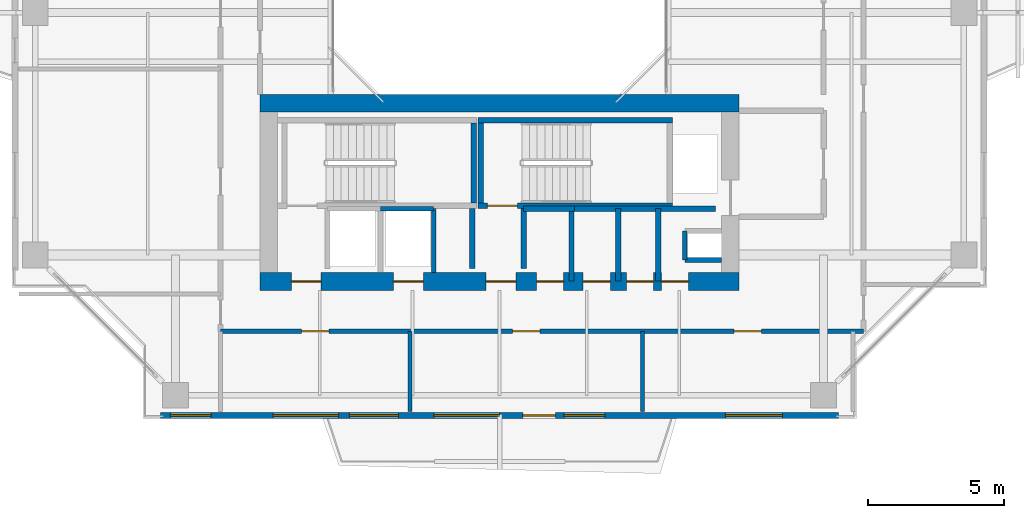
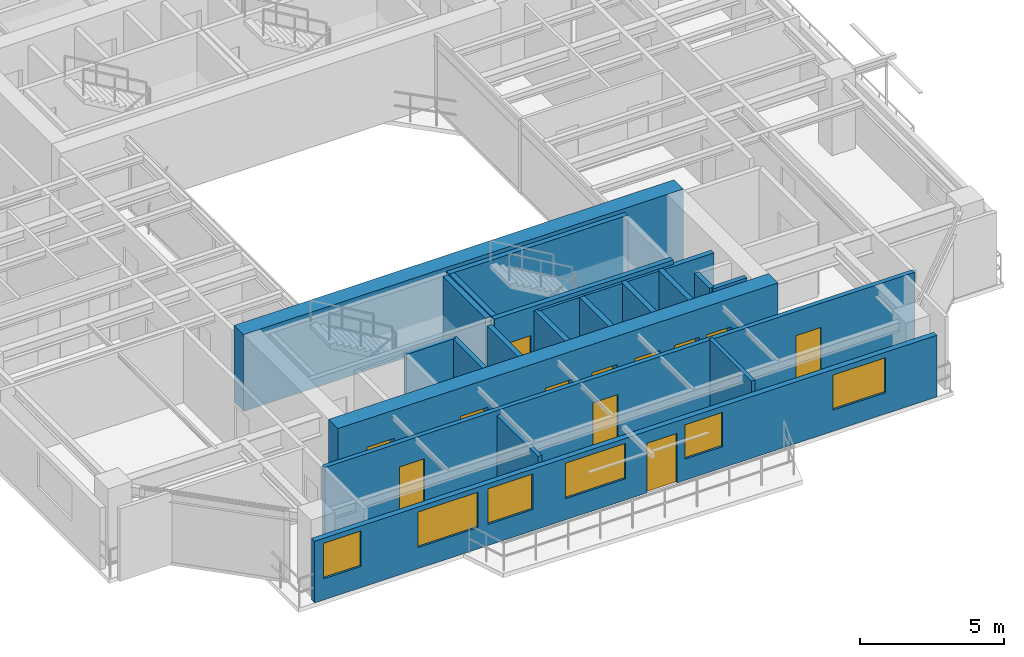
# One storey, part 10 of 17: 21 walls, 12 doors, 6 windows, 18 openings.
"""IFC4 building model written with IfcOpenShell, lengths in metres."""

from ifc_helpers import new_model, si_unit, direction, frame, frame_2d, origin, place, context, subcontext, project, spatial, rectangle, extrude, source, transform, mapped, material, layer, layer_set, type_object, element, fill, save


model = new_model("IFC4")

# Units and contexts
model_context = context("Model", 3, precision=1e-05, world=origin(), true_north=direction((0.0, 1.0)))
body_context = subcontext(model_context, "Body", "Model", "MODEL_VIEW")
ifc_project = project(units=[si_unit("LENGTHUNIT", "METRE"), si_unit("AREAUNIT", "SQUARE_METRE"), si_unit("VOLUMEUNIT", "CUBIC_METRE"), si_unit("PLANEANGLEUNIT", "RADIAN"), si_unit("MASSUNIT", "GRAM", prefix="KILO"), si_unit("THERMODYNAMICTEMPERATUREUNIT", "KELVIN"), si_unit("POWERUNIT", "WATT")], contexts=[model_context])

# Site, building, storey
site_placement = place(None, origin())
site = spatial("IfcSite", under=ifc_project, at=site_placement, CompositionType="ELEMENT")
building_placement = place(site_placement, origin())
building = spatial("IfcBuilding", under=site, at=building_placement, Name="Qiaomeng Ring Towers", CompositionType="ELEMENT")
storey_placement = place(building_placement, frame((0.0, 0.0, 143.75)))
storey = spatial("IfcBuildingStorey", under=building, at=storey_placement, Name="L41", CompositionType="ELEMENT", Elevation=143.75)

# Wall, openings, windows, door
ifc_material_1 = material(Name="Precast concrete C40", Category="concrete")
ifc_layer_1 = layer(ifc_material_1, 0.219970703125, Name="Precast concrete C40")
ifc_layer_set_1 = layer_set([ifc_layer_1], Name="Precast concrete C40")
wall_type_1 = type_object("IfcWallType", Name="ARC-WL-EW2", PredefinedType="STANDARD", material=ifc_layer_set_1)
wall_1_placement = place(storey_placement, frame((6.550048828125, 5.2099609375, 0.0), z_axis=(0.0, 0.0, 1.0), x_axis=(1.0, 0.0, 0.0)))
wall_1 = element("IfcWall", 1, at=wall_1_placement, inside=storey, type_object=wall_type_1, Name="L41 Tower 1 S Exterior Wall", PredefinedType="STANDARD", context=body_context, shape_type="SweptSolid", body=[
    extrude(rectangle(XDim=24.89990234375, YDim=0.219970703125, at=frame_2d((12.449951171875, 0.0))), origin(), (0.0, 0.0, 1.0), 2.610107421875),
])
opening_1_placement = place(wall_1_placement, frame((13.300048828125, 0.0, 0.0)))
opening_1 = element("IfcOpeningElement", 2, at=opening_1_placement, cuts=wall_1, Name="Opening BD1", PredefinedType="OPENING", context=body_context, shape_type="SweptSolid", body=[
    extrude(rectangle(XDim=1.199951171875, YDim=2.10009765625, at=frame_2d((0.60009765625, 1.050048828125))), frame((0.0, 0.119873046875, 0.0), z_axis=(0.0, -1.0, 0.0), x_axis=(1.0, 0.0, 0.0)), (0.0, 0.0, 1.0), 0.239990234375),
])
opening_2_placement = place(wall_1_placement, frame((0.357421875, 0.0, 0.89990234375)))
opening_2 = element("IfcOpeningElement", 3, at=opening_2_placement, cuts=wall_1, Name="Opening WN2", PredefinedType="OPENING", context=body_context, shape_type="SweptSolid", body=[
    extrude(rectangle(XDim=1.5, YDim=1.5, at=frame_2d((0.75, 0.75))), frame((0.0, 0.119873046875, 0.0), z_axis=(0.0, -1.0, 0.0), x_axis=(1.0, 0.0, 0.0)), (0.0, 0.0, 1.0), 0.239990234375),
])
opening_3_placement = place(wall_1_placement, frame((6.9306640625, 0.0, 0.89990234375)))
opening_3 = element("IfcOpeningElement", 4, at=opening_3_placement, cuts=wall_1, Name="Opening WN1", PredefinedType="OPENING", context=body_context, shape_type="SweptSolid", body=[
    extrude(rectangle(XDim=1.800048828125, YDim=1.5, at=frame_2d((0.89990234375, 0.75))), frame((0.0, 0.119873046875, 0.0), z_axis=(0.0, -1.0, 0.0), x_axis=(1.0, 0.0, 0.0)), (0.0, 0.0, 1.0), 0.239990234375),
])
opening_4_placement = place(wall_1_placement, frame((14.81298828125, 0.0, 0.89990234375)))
opening_4 = element("IfcOpeningElement", 5, at=opening_4_placement, cuts=wall_1, Name="Opening WN2", PredefinedType="OPENING", context=body_context, shape_type="SweptSolid", body=[
    extrude(rectangle(XDim=1.5, YDim=1.449951171875, at=frame_2d((0.75, 0.72509765625))), frame((0.0, 0.119873046875, 0.0), z_axis=(0.0, -1.0, 0.0), x_axis=(1.0, 0.0, 0.0)), (0.0, 0.0, 1.0), 0.239990234375),
])
opening_5_placement = place(wall_1_placement, frame((20.738037109375, 0.0, 0.89990234375)))
opening_5 = element("IfcOpeningElement", 6, at=opening_5_placement, cuts=wall_1, Name="Opening WN4", PredefinedType="OPENING", context=body_context, shape_type="SweptSolid", body=[
    extrude(rectangle(XDim=2.10009765625, YDim=1.47998046875, at=frame_2d((1.050048828125, 0.739990234375))), frame((0.0, 0.119873046875, 0.0), z_axis=(0.0, -1.0, 0.0), x_axis=(1.0, 0.0, 0.0)), (0.0, 0.0, 1.0), 0.239990234375),
])
opening_6_placement = place(wall_1_placement, frame((4.136474609375, 0.0, 0.89990234375)))
opening_6 = element("IfcOpeningElement", 7, at=opening_6_placement, cuts=wall_1, Name="Opening WN6", PredefinedType="OPENING", context=body_context, shape_type="SweptSolid", body=[
    extrude(rectangle(XDim=2.39990234375, YDim=1.5, at=frame_2d((1.199951171875, 0.75))), frame((0.0, 0.119873046875, 0.0), z_axis=(0.0, -1.0, 0.0), x_axis=(1.0, 0.0, 0.0)), (0.0, 0.0, 1.0), 0.239990234375),
])
opening_7_placement = place(wall_1_placement, frame((10.03759765625, 0.0, 0.89990234375)))
opening_7 = element("IfcOpeningElement", 8, at=opening_7_placement, cuts=wall_1, Name="Opening WN6", PredefinedType="OPENING", context=body_context, shape_type="SweptSolid", body=[
    extrude(rectangle(XDim=2.39990234375, YDim=1.5, at=frame_2d((1.199951171875, 0.75))), frame((0.0, 0.119873046875, 0.0), z_axis=(0.0, -1.0, 0.0), x_axis=(1.0, 0.0, 0.0)), (0.0, 0.0, 1.0), 0.239990234375),
])
ifc_material_2 = material(Name="Low-E dark-grey laminated double glazing", Category="glass")
window_type_1 = type_object("IfcWindowType", Name="ARC-WN-2", PartitioningType="DOUBLE_PANEL_VERTICAL", PredefinedType="WINDOW", material=ifc_material_2)
shared_shape_1 = source(origin(), body_context, "Body", "SweptSolid", [
    extrude(rectangle(XDim=1.5, YDim=1.449951171875, at=frame_2d((0.75, 0.72509765625))), frame((0.0, 0.030029296875, 0.0), z_axis=(0.0, -1.0, 0.0), x_axis=(1.0, 0.0, 0.0)), (0.0, 0.0, 1.0), 0.06005859375),
])
window_1_placement = place(opening_4_placement, origin())
window_1 = element("IfcWindow", 9, at=window_1_placement, inside=storey, type_object=window_type_1, Name="L41 Exterior Window WN2", OverallHeight=1.449951171875, OverallWidth=1.5, PartitioningType="DOUBLE_PANEL_VERTICAL", PredefinedType="WINDOW", context=body_context, shape_type="MappedRepresentation", body=[
    mapped(shared_shape_1, transform((0.0, 0.0, 0.0), x_axis=(1.0, 0.0, 0.0), y_axis=(0.0, 1.0, 0.0), z_axis=(0.0, 0.0, 1.0), scale=1.0)),
])
fill(opening_4, window_1)
window_type_2 = type_object("IfcWindowType", Name="ARC-WN-4", PartitioningType="TRIPLE_PANEL_VERTICAL", PredefinedType="WINDOW", material=ifc_material_2)
shared_shape_2 = source(origin(), body_context, "Body", "SweptSolid", [
    extrude(rectangle(XDim=2.10009765625, YDim=1.47998046875, at=frame_2d((1.050048828125, 0.739990234375))), frame((0.0, 0.030029296875, 0.0), z_axis=(0.0, -1.0, 0.0), x_axis=(1.0, 0.0, 0.0)), (0.0, 0.0, 1.0), 0.06005859375),
])
window_2_placement = place(opening_5_placement, origin())
window_2 = element("IfcWindow", 10, at=window_2_placement, inside=storey, type_object=window_type_2, Name="L41 Exterior Window WN4", OverallHeight=1.47998046875, OverallWidth=2.10009765625, PartitioningType="TRIPLE_PANEL_VERTICAL", PredefinedType="WINDOW", context=body_context, shape_type="MappedRepresentation", body=[
    mapped(shared_shape_2, transform((0.0, 0.0, 0.0), x_axis=(1.0, 0.0, 0.0), y_axis=(0.0, 1.0, 0.0), z_axis=(0.0, 0.0, 1.0), scale=1.0)),
])
fill(opening_5, window_2)
door_type_1 = type_object("IfcDoorType", Name="ARC-DR-BD1", OperationType="NOTDEFINED", PredefinedType="DOOR", material=ifc_material_2)
shared_shape_3 = source(origin(), body_context, "Body", "SweptSolid", [
    extrude(rectangle(XDim=1.199951171875, YDim=2.10009765625, at=frame_2d((0.60009765625, 1.050048828125))), frame((0.0, 0.02490234375, 0.0), z_axis=(0.0, -1.0, 0.0), x_axis=(1.0, 0.0, 0.0)), (0.0, 0.0, 1.0), 0.050048828125),
])
door_1_placement = place(opening_1_placement, frame((1.199951171875, 0.0, 0.0), z_axis=(0.0, 0.0, 1.0), x_axis=(-1.0, 0.0, 0.0)))
door_1 = element("IfcDoor", 11, at=door_1_placement, inside=storey, type_object=door_type_1, Name="L41 S Balcony Glazed Door", OperationType="SINGLE_SWING_LEFT", OverallHeight=2.10009765625, OverallWidth=1.199951171875, PredefinedType="DOOR", context=body_context, shape_type="MappedRepresentation", body=[
    mapped(shared_shape_3, transform((0.0, 0.0, 0.0), x_axis=(1.0, 0.0, 0.0), y_axis=(0.0, 1.0, 0.0), z_axis=(0.0, 0.0, 1.0), scale=1.0)),
])
fill(opening_1, door_1)
shared_shape_4 = source(origin(), body_context, "Body", "SweptSolid", [
    extrude(rectangle(XDim=1.5, YDim=1.5, at=frame_2d((0.75, 0.75))), frame((0.0, 0.030029296875, 0.0), z_axis=(0.0, -1.0, 0.0), x_axis=(1.0, 0.0, 0.0)), (0.0, 0.0, 1.0), 0.06005859375),
])
window_3_placement = place(opening_2_placement, origin())
window_3 = element("IfcWindow", 12, at=window_3_placement, inside=storey, type_object=window_type_1, Name="L41 Exterior Window WN6", OverallHeight=1.5, OverallWidth=1.5, PartitioningType="TRIPLE_PANEL_VERTICAL", PredefinedType="WINDOW", context=body_context, shape_type="MappedRepresentation", body=[
    mapped(shared_shape_4, transform((0.0, 0.0, 0.0), x_axis=(1.0, 0.0, 0.0), y_axis=(0.0, 1.0, 0.0), z_axis=(0.0, 0.0, 1.0), scale=1.0)),
])
fill(opening_2, window_3)
window_type_3 = type_object("IfcWindowType", Name="ARC-WN-6", PartitioningType="TRIPLE_PANEL_VERTICAL", PredefinedType="WINDOW", material=ifc_material_2)
shared_shape_5 = source(origin(), body_context, "Body", "SweptSolid", [
    extrude(rectangle(XDim=2.39990234375, YDim=1.5, at=frame_2d((1.199951171875, 0.75))), frame((0.0, 0.030029296875, 0.0), z_axis=(0.0, -1.0, 0.0), x_axis=(1.0, 0.0, 0.0)), (0.0, 0.0, 1.0), 0.06005859375),
])
window_4_placement = place(opening_6_placement, origin())
window_4 = element("IfcWindow", 13, at=window_4_placement, inside=storey, type_object=window_type_3, Name="L41 Exterior Window WN6", OverallHeight=1.5, OverallWidth=2.39990234375, PartitioningType="TRIPLE_PANEL_VERTICAL", PredefinedType="WINDOW", context=body_context, shape_type="MappedRepresentation", body=[
    mapped(shared_shape_5, transform((0.0, 0.0, 0.0), x_axis=(1.0, 0.0, 0.0), y_axis=(0.0, 1.0, 0.0), z_axis=(0.0, 0.0, 1.0), scale=1.0)),
])
fill(opening_6, window_4)
window_5_placement = place(opening_7_placement, origin())
window_5 = element("IfcWindow", 14, at=window_5_placement, inside=storey, type_object=window_type_3, Name="L41 Exterior Window WN6", OverallHeight=1.5, OverallWidth=2.39990234375, PartitioningType="TRIPLE_PANEL_VERTICAL", PredefinedType="WINDOW", context=body_context, shape_type="MappedRepresentation", body=[
    mapped(shared_shape_5, transform((0.0, 0.0, 0.0), x_axis=(1.0, 0.0, 0.0), y_axis=(0.0, 1.0, 0.0), z_axis=(0.0, 0.0, 1.0), scale=1.0)),
])
fill(opening_7, window_5)
window_type_4 = type_object("IfcWindowType", Name="ARC-WN-1", PartitioningType="DOUBLE_PANEL_VERTICAL", PredefinedType="WINDOW", material=ifc_material_2)
shared_shape_6 = source(origin(), body_context, "Body", "SweptSolid", [
    extrude(rectangle(XDim=1.800048828125, YDim=1.5, at=frame_2d((0.89990234375, 0.75))), frame((0.0, 0.030029296875, 0.0), z_axis=(0.0, -1.0, 0.0), x_axis=(1.0, 0.0, 0.0)), (0.0, 0.0, 1.0), 0.06005859375),
])
window_6_placement = place(opening_3_placement, origin())
window_6 = element("IfcWindow", 15, at=window_6_placement, inside=storey, type_object=window_type_4, Name="L41 Exterior Window WN1", OverallHeight=1.5, OverallWidth=1.800048828125, PartitioningType="DOUBLE_PANEL_VERTICAL", PredefinedType="WINDOW", context=body_context, shape_type="MappedRepresentation", body=[
    mapped(shared_shape_6, transform((0.0, 0.0, 0.0), x_axis=(1.0, 0.0, 0.0), y_axis=(0.0, 1.0, 0.0), z_axis=(0.0, 0.0, 1.0), scale=1.0)),
])
fill(opening_3, window_6)

# Walls
ifc_material_3 = material(Name="Autoclaved aerated concrete block", Category="concrete")
ifc_layer_2 = layer(ifc_material_3, 0.199951171875, Name="Autoclaved aerated concrete block")
ifc_layer_set_2 = layer_set([ifc_layer_2], Name="Autoclaved aerated concrete block")
wall_type_2 = type_object("IfcWallType", Name="ARC-WL-PW1", PredefinedType="PARTITIONING", material=ifc_layer_set_2)
for number, where, z_axis, x_axis, name in (
    (16, (18.0, 10.60009765625, 0.0), (0.0, 0.0, 1.0), (0.0, 1.0, 0.0), "L41 Interior Wall PW1"),
    (17, (19.8798828125, 10.60009765625, 0.0), (0.0, 0.0, 1.0), (0.0, 1.0, 0.0), "L41 Interior Wall PW1"),
):
    element("IfcWall", number, at=place(storey_placement, frame(where, z_axis=z_axis, x_axis=x_axis)), inside=storey, type_object=wall_type_2, Name=name, PredefinedType="PARTITIONING", context=body_context, shape_type="SweptSolid", body=[
        extrude(rectangle(XDim=2.2099609375, YDim=0.199951171875, at=frame_2d((1.10498046875, 0.0))), origin(), (0.0, 0.0, 1.0), 3.070068359375),
    ])
wall_2_placement = place(storey_placement, frame((24.820068359375, 10.14990234375, 0.0), z_axis=(0.0, 0.0, 1.0), x_axis=(0.0, 1.0, 0.0)))
element("IfcWall", 18, at=wall_2_placement, inside=storey, type_object=wall_type_2, Name="L41 Interior Wall PW1", PredefinedType="PARTITIONING", context=body_context, shape_type="SweptSolid", body=[
    extrude(rectangle(XDim=2.650146484375, YDim=0.199951171875, at=frame_2d((1.3251953125, 0.0))), origin(), (0.0, 0.0, 1.0), 3.070068359375),
])
wall_3_placement = place(storey_placement, frame((19.8798828125, 12.800048828125, 0.0), z_axis=(0.0, 0.0, 1.0), x_axis=(1.0, 0.0, 0.0)))
element("IfcWall", 19, at=wall_3_placement, inside=storey, type_object=wall_type_2, Name="L41 Interior Wall PW1", PredefinedType="PARTITIONING", context=body_context, shape_type="SweptSolid", body=[
    extrude(rectangle(XDim=1.8701171875, YDim=0.199951171875, at=frame_2d((0.93505859375, 0.0))), origin(), (0.0, 0.0, 1.0), 3.070068359375),
])
for number, where, z_axis, x_axis, name in (
    (20, (21.639892578125, 10.14990234375, 0.0), (0.0, 0.0, 1.0), (0.0, 1.0, 0.0), "L41 Interior Wall PW1"),
    (21, (23.35009765625, 10.14990234375, 0.0), (0.0, 0.0, 1.0), (0.0, 1.0, 0.0), "L41 Interior Wall PW1"),
):
    element("IfcWall", number, at=place(storey_placement, frame(where, z_axis=z_axis, x_axis=x_axis)), inside=storey, type_object=wall_type_2, Name=name, PredefinedType="PARTITIONING", context=body_context, shape_type="SweptSolid", body=[
        extrude(rectangle(XDim=2.650146484375, YDim=0.199951171875, at=frame_2d((1.3251953125, 0.0))), origin(), (0.0, 0.0, 1.0), 3.070068359375),
    ])
wall_4_placement = place(storey_placement, frame((21.75, 12.800048828125, 0.0), z_axis=(0.0, 0.0, 1.0), x_axis=(1.0, 0.0, 0.0)))
element("IfcWall", 22, at=wall_4_placement, inside=storey, type_object=wall_type_2, Name="L41 Interior Wall PW1", PredefinedType="PARTITIONING", context=body_context, shape_type="SweptSolid", body=[
    extrude(rectangle(XDim=5.169921875, YDim=0.199951171875, at=frame_2d((2.5849609375, 0.0))), origin(), (0.0, 0.0, 1.0), 3.070068359375),
])

# Wall, openings, doors
ifc_layer_3 = layer(ifc_material_3, 0.179931640625, Name="Autoclaved aerated concrete block")
ifc_layer_set_3 = layer_set([ifc_layer_3], Name="Autoclaved aerated concrete block")
wall_type_3 = type_object("IfcWallType", Name="ARC-WL-PW2", PredefinedType="PARTITIONING", material=ifc_layer_set_3)
wall_5_placement = place(storey_placement, frame((8.75, 8.300048828125, 0.0), z_axis=(0.0, 0.0, 1.0), x_axis=(1.0, 0.0, 0.0)))
wall_5 = element("IfcWall", 23, at=wall_5_placement, inside=storey, type_object=wall_type_3, Name="L41 Interior Wall PW2", PredefinedType="PARTITIONING", context=body_context, shape_type="SweptSolid", body=[
    extrude(rectangle(XDim=23.610107421875, YDim=0.179931640625, at=frame_2d((11.80517578125, 0.0))), origin(), (0.0, 0.0, 1.0), 3.070068359375),
])
opening_8_placement = place(wall_5_placement, frame((2.97998046875, 0.0, 0.0)))
opening_8 = element("IfcOpeningElement", 24, at=opening_8_placement, cuts=wall_5, Name="Opening FD4", PredefinedType="OPENING", context=body_context, shape_type="SweptSolid", body=[
    extrude(rectangle(XDim=1.0, YDim=2.050048828125, at=frame_2d((0.5, 1.02490234375))), frame((0.0, 0.099853515625, 0.0), z_axis=(0.0, -1.0, 0.0), x_axis=(1.0, 0.0, 0.0)), (0.0, 0.0, 1.0), 0.199951171875),
])
opening_9_placement = place(wall_5_placement, frame((10.72509765625, 0.0, 0.0)))
opening_9 = element("IfcOpeningElement", 25, at=opening_9_placement, cuts=wall_5, Name="Opening FD4", PredefinedType="OPENING", context=body_context, shape_type="SweptSolid", body=[
    extrude(rectangle(XDim=1.0, YDim=2.050048828125, at=frame_2d((0.5, 1.02490234375))), frame((0.0, 0.099853515625, 0.0), z_axis=(0.0, -1.0, 0.0), x_axis=(1.0, 0.0, 0.0)), (0.0, 0.0, 1.0), 0.199951171875),
])
opening_10_placement = place(wall_5_placement, frame((18.860107421875, 0.0, 0.0)))
opening_10 = element("IfcOpeningElement", 26, at=opening_10_placement, cuts=wall_5, Name="Opening FD4", PredefinedType="OPENING", context=body_context, shape_type="SweptSolid", body=[
    extrude(rectangle(XDim=1.0, YDim=2.050048828125, at=frame_2d((0.5, 1.02490234375))), frame((0.0, 0.099853515625, 0.0), z_axis=(0.0, -1.0, 0.0), x_axis=(1.0, 0.0, 0.0)), (0.0, 0.0, 1.0), 0.199951171875),
])
ifc_material_4 = material(Name="Engineered fire-rated oak timber", Category="wood")
door_type_2 = type_object("IfcDoorType", Name="ARC-DR-FD4", OperationType="NOTDEFINED", PredefinedType="DOOR", material=ifc_material_4)
shared_shape_7 = source(origin(), body_context, "Body", "SweptSolid", [
    extrude(rectangle(XDim=1.0, YDim=2.050048828125, at=frame_2d((0.5, 1.02490234375))), frame((0.0, 0.02490234375, 0.0), z_axis=(0.0, -1.0, 0.0), x_axis=(1.0, 0.0, 0.0)), (0.0, 0.0, 1.0), 0.050048828125),
])
door_2_placement = place(opening_8_placement, origin())
door_2 = element("IfcDoor", 27, at=door_2_placement, inside=storey, type_object=door_type_2, Name="L41 Door FD4", OperationType="SINGLE_SWING_LEFT", OverallHeight=2.050048828125, OverallWidth=1.0, PredefinedType="DOOR", context=body_context, shape_type="MappedRepresentation", body=[
    mapped(shared_shape_7, transform((0.0, 0.0, 0.0), x_axis=(1.0, 0.0, 0.0), y_axis=(0.0, 1.0, 0.0), z_axis=(0.0, 0.0, 1.0), scale=1.0)),
])
fill(opening_8, door_2)
door_3_placement = place(opening_9_placement, origin())
door_3 = element("IfcDoor", 28, at=door_3_placement, inside=storey, type_object=door_type_2, Name="L41 Door FD4", OperationType="SINGLE_SWING_RIGHT", OverallHeight=2.050048828125, OverallWidth=1.0, PredefinedType="DOOR", context=body_context, shape_type="MappedRepresentation", body=[
    mapped(shared_shape_7, transform((0.0, 0.0, 0.0), x_axis=(1.0, 0.0, 0.0), y_axis=(0.0, 1.0, 0.0), z_axis=(0.0, 0.0, 1.0), scale=1.0)),
])
fill(opening_9, door_3)
door_4_placement = place(opening_10_placement, origin())
door_4 = element("IfcDoor", 29, at=door_4_placement, inside=storey, type_object=door_type_2, Name="L41 Door FD4", OperationType="SINGLE_SWING_LEFT", OverallHeight=2.050048828125, OverallWidth=1.0, PredefinedType="DOOR", context=body_context, shape_type="MappedRepresentation", body=[
    mapped(shared_shape_7, transform((0.0, 0.0, 0.0), x_axis=(1.0, 0.0, 0.0), y_axis=(0.0, 1.0, 0.0), z_axis=(0.0, 0.0, 1.0), scale=1.0)),
])
fill(opening_10, door_4)

# Walls
ifc_material_5 = material(Name="Gypsum fireboard steel-stud partition", Category="steel")
ifc_layer_4 = layer(ifc_material_5, 0.14990234375, Name="Gypsum fireboard steel-stud partition")
ifc_layer_set_4 = layer_set([ifc_layer_4], Name="Gypsum fireboard steel-stud partition")
wall_type_4 = type_object("IfcWallType", Name="ARC-WL-PW3", PredefinedType="PARTITIONING", material=ifc_layer_set_4)
wall_6_placement = place(storey_placement, frame((15.7099609375, 5.35009765625, 0.0), z_axis=(0.0, 0.0, 1.0), x_axis=(0.0, 1.0, 0.0)))
element("IfcWall", 30, at=wall_6_placement, inside=storey, type_object=wall_type_4, Name="L41 Interior Wall PW3", PredefinedType="PARTITIONING", context=body_context, shape_type="SweptSolid", body=[
    extrude(rectangle(XDim=2.949951171875, YDim=0.14990234375, at=frame_2d((1.47509765625, 0.0))), origin(), (0.0, 0.0, 1.0), 2.864990234375),
])
wall_7_placement = place(storey_placement, frame((24.239990234375, 5.35009765625, 0.0), z_axis=(0.0, 0.0, 1.0), x_axis=(0.0, 1.0, 0.0)))
element("IfcWall", 31, at=wall_7_placement, inside=storey, type_object=wall_type_4, Name="L41 Interior Wall PW3", PredefinedType="PARTITIONING", context=body_context, shape_type="SweptSolid", body=[
    extrude(rectangle(XDim=2.949951171875, YDim=0.14990234375, at=frame_2d((1.47509765625, 0.0))), origin(), (0.0, 0.0, 1.0), 3.070068359375),
])
ifc_material_6 = material(Name="Concrete C40", Category="concrete")
ifc_layer_5 = layer(ifc_material_6, 0.199951171875, Name="Concrete C40")
ifc_layer_set_5 = layer_set([ifc_layer_5], Name="Concrete C40")
wall_type_5 = type_object("IfcWallType", Name="STR-WL-STSHAFT", PredefinedType="SHEAR", material=ifc_layer_set_5)
wall_8_placement = place(storey_placement, frame((25.800048828125, 10.919921875, 0.0), z_axis=(0.0, 0.0, 1.0), x_axis=(0.0, 1.0, 0.0)))
element("IfcWall", 32, at=wall_8_placement, inside=storey, type_object=wall_type_5, Name="L41 Riser RSR1 West Shaft Wall S", PredefinedType="SHEAR", context=body_context, shape_type="SweptSolid", body=[
    extrude(rectangle(XDim=1.06005859375, YDim=0.179931640625, at=frame_2d((0.530029296875, 0.0))), origin(), (0.0, 0.0, 1.0), 3.070068359375),
])
wall_9_placement = place(storey_placement, frame((25.800048828125, 10.919921875, 0.0), z_axis=(0.0, 0.0, 1.0), x_axis=(1.0, 0.0, 0.0)))
element("IfcWall", 33, at=wall_9_placement, inside=storey, type_object=wall_type_5, Name="L41 Riser RSR1 South Shaft Wall S", PredefinedType="SHEAR", context=body_context, shape_type="SweptSolid", body=[
    extrude(rectangle(XDim=1.349853515625, YDim=0.179931640625, at=frame_2d((0.6748046875, 0.0))), origin(), (0.0, 0.0, 1.0), 3.070068359375),
])
wall_10_placement = place(storey_placement, frame((14.6201171875, 12.800048828125, 0.0), z_axis=(0.0, 0.0, 1.0), x_axis=(1.0, 0.0, 0.0)))
element("IfcWall", 34, at=wall_10_placement, inside=storey, type_object=wall_type_5, Name="L41 Lift LP4 Shaft Back Wall", PredefinedType="SHEAR", context=body_context, shape_type="SweptSolid", body=[
    extrude(rectangle(XDim=1.9599609375, YDim=0.179931640625, at=frame_2d((0.97998046875, 0.0))), origin(), (0.0, 0.0, 1.0), 3.070068359375),
])
wall_11_placement = place(storey_placement, frame((16.580078125, 10.449951171875, 0.0), z_axis=(0.0, 0.0, 1.0), x_axis=(0.0, 1.0, 0.0)))
element("IfcWall", 35, at=wall_11_placement, inside=storey, type_object=wall_type_5, Name="L41 Lift LP4 East Shaft Wall", PredefinedType="SHEAR", context=body_context, shape_type="SweptSolid", body=[
    extrude(rectangle(XDim=2.35009765625, YDim=0.179931640625, at=frame_2d((1.175048828125, 0.0))), origin(), (0.0, 0.0, 1.0), 3.070068359375),
])
wall_12_placement = place(storey_placement, frame((18.050048828125, 13.010009765625, 0.0), z_axis=(0.0, 0.0, 1.0), x_axis=(0.0, 1.0, 0.0)))
element("IfcWall", 36, at=wall_12_placement, inside=storey, type_object=wall_type_5, Name="L41 Stair ST3 East Shaft Shear Wall", PredefinedType="SHEAR", context=body_context, shape_type="SweptSolid", body=[
    extrude(rectangle(XDim=2.93994140625, YDim=0.199951171875, at=frame_2d((1.469970703125, 0.0))), origin(), (0.0, 0.0, 1.0), 3.25),
])

# Wall, opening, door
wall_13_placement = place(storey_placement, frame((18.199951171875, 12.909912109375, 0.0), z_axis=(0.0, 0.0, 1.0), x_axis=(1.0, 0.0, 0.0)))
wall_13 = element("IfcWall", 37, at=wall_13_placement, inside=storey, type_object=wall_type_5, Name="L41 Stair ST4 South Shaft Shear Wall", PredefinedType="SHEAR", context=body_context, shape_type="SweptSolid", body=[
    extrude(rectangle(XDim=7.150146484375, YDim=0.199951171875, at=frame_2d((3.5751953125, 0.0))), origin(), (0.0, 0.0, 1.0), 3.25),
])
opening_11_placement = place(wall_13_placement, frame((0.35009765625, 0.0, 0.0)))
opening_11 = element("IfcOpeningElement", 38, at=opening_11_placement, cuts=wall_13, Name="Opening FD3", PredefinedType="OPENING", context=body_context, shape_type="SweptSolid", body=[
    extrude(rectangle(XDim=1.10009765625, YDim=2.050048828125, at=frame_2d((0.550048828125, 1.02490234375))), frame((0.0, 0.10986328125, 0.0), z_axis=(0.0, -1.0, 0.0), x_axis=(1.0, 0.0, 0.0)), (0.0, 0.0, 1.0), 0.219970703125),
])
ifc_material_7 = material(Name="Galvanised steel", Category="steel")
door_type_3 = type_object("IfcDoorType", Name="ARC-DR-FD3", OperationType="NOTDEFINED", PredefinedType="DOOR", material=ifc_material_7)
shared_shape_8 = source(origin(), body_context, "Body", "SweptSolid", [
    extrude(rectangle(XDim=1.10009765625, YDim=2.050048828125, at=frame_2d((0.550048828125, 1.02490234375))), frame((0.0, 0.02490234375, 0.0), z_axis=(0.0, -1.0, 0.0), x_axis=(1.0, 0.0, 0.0)), (0.0, 0.0, 1.0), 0.050048828125),
])
door_5_placement = place(opening_11_placement, frame((1.10009765625, 0.0, 0.0), z_axis=(0.0, 0.0, 1.0), x_axis=(-1.0, 0.0, 0.0)))
door_5 = element("IfcDoor", 39, at=door_5_placement, inside=storey, type_object=door_type_3, Name="L41 Stair ST4 Exit Door", OperationType="SINGLE_SWING_RIGHT", OverallHeight=2.050048828125, OverallWidth=1.10009765625, PredefinedType="DOOR", context=body_context, shape_type="MappedRepresentation", body=[
    mapped(shared_shape_8, transform((0.0, 0.0, 0.0), x_axis=(1.0, 0.0, 0.0), y_axis=(0.0, 1.0, 0.0), z_axis=(0.0, 0.0, 1.0), scale=1.0)),
])
fill(opening_11, door_5)

# Walls
wall_14_placement = place(storey_placement, frame((18.199951171875, 16.050048828125, 0.0), z_axis=(0.0, 0.0, 1.0), x_axis=(1.0, 0.0, 0.0)))
element("IfcWall", 40, at=wall_14_placement, inside=storey, type_object=wall_type_5, Name="L41 Stair ST4 North Shaft Shear Wall", PredefinedType="SHEAR", context=body_context, shape_type="SweptSolid", body=[
    extrude(rectangle(XDim=7.150146484375, YDim=0.199951171875, at=frame_2d((3.5751953125, 0.0))), origin(), (0.0, 0.0, 1.0), 3.25),
])
wall_15_placement = place(storey_placement, frame((18.300048828125, 13.010009765625, 0.0), z_axis=(0.0, 0.0, 1.0), x_axis=(0.0, 1.0, 0.0)))
element("IfcWall", 41, at=wall_15_placement, inside=storey, type_object=wall_type_5, Name="L41 Stair ST4 West Shaft Shear Wall", PredefinedType="SHEAR", context=body_context, shape_type="SweptSolid", body=[
    extrude(rectangle(XDim=2.93994140625, YDim=0.199951171875, at=frame_2d((1.469970703125, 0.0))), origin(), (0.0, 0.0, 1.0), 3.25),
])

# Wall, openings, doors
ifc_material_8 = material(Name="Concrete C50", Category="concrete")
ifc_layer_6 = layer(ifc_material_8, 0.64990234375, Name="Concrete C50")
ifc_layer_set_6 = layer_set([ifc_layer_6], Name="Concrete C50")
wall_type_6 = type_object("IfcWallType", Name="STR-WL-SW2B", PredefinedType="SHEAR", material=ifc_layer_set_6)
wall_16_placement = place(storey_placement, frame((10.199951171875, 10.125, 0.0), z_axis=(0.0, 0.0, 1.0), x_axis=(1.0, 0.0, 0.0)))
wall_16 = element("IfcWall", 42, at=wall_16_placement, inside=storey, type_object=wall_type_6, Name="L41 T1SC south core shear wall", PredefinedType="SHEAR", context=body_context, shape_type="SweptSolid", body=[
    extrude(rectangle(XDim=17.60009765625, YDim=0.64990234375, at=frame_2d((8.800048828125, 0.0))), origin(), (0.0, 0.0, 1.0), 3.25),
])
opening_12_placement = place(wall_16_placement, frame((1.14990234375, 0.0, 0.0)))
opening_12 = element("IfcOpeningElement", 43, at=opening_12_placement, cuts=wall_16, Name="Opening FD3", PredefinedType="OPENING", context=body_context, shape_type="SweptSolid", body=[
    extrude(rectangle(XDim=1.10009765625, YDim=2.050048828125, at=frame_2d((0.550048828125, 1.02490234375))), frame((0.0, 0.3349609375, 0.0), z_axis=(0.0, -1.0, 0.0), x_axis=(1.0, 0.0, 0.0)), (0.0, 0.0, 1.0), 0.669921875),
])
opening_13_placement = place(wall_16_placement, frame((8.300048828125, 0.0, 0.0)))
opening_13 = element("IfcOpeningElement", 44, at=opening_13_placement, cuts=wall_16, Name="Opening FD3", PredefinedType="OPENING", context=body_context, shape_type="SweptSolid", body=[
    extrude(rectangle(XDim=1.10009765625, YDim=2.050048828125, at=frame_2d((0.550048828125, 1.02490234375))), frame((0.0, 0.3349609375, 0.0), z_axis=(0.0, -1.0, 0.0), x_axis=(1.0, 0.0, 0.0)), (0.0, 0.0, 1.0), 0.669921875),
])
opening_14_placement = place(wall_16_placement, frame((4.89990234375, 0.0, 0.0)))
opening_14 = element("IfcOpeningElement", 45, at=opening_14_placement, cuts=wall_16, Name="Opening LD1", PredefinedType="OPENING", context=body_context, shape_type="SweptSolid", body=[
    extrude(rectangle(XDim=1.10009765625, YDim=2.050048828125, at=frame_2d((0.550048828125, 1.02490234375))), frame((0.0, 0.3349609375, 0.0), z_axis=(0.0, -1.0, 0.0), x_axis=(1.0, 0.0, 0.0)), (0.0, 0.0, 1.0), 0.669921875),
])
opening_15_placement = place(wall_16_placement, frame((14.739990234375, 0.0, 0.0)))
opening_15 = element("IfcOpeningElement", 46, at=opening_15_placement, cuts=wall_16, Name="Opening FD1", PredefinedType="OPENING", context=body_context, shape_type="SweptSolid", body=[
    extrude(rectangle(XDim=1.0, YDim=2.050048828125, at=frame_2d((0.5, 1.02490234375))), frame((0.0, 0.3349609375, 0.0), z_axis=(0.0, -1.0, 0.0), x_axis=(1.0, 0.0, 0.0)), (0.0, 0.0, 1.0), 0.669921875),
])
opening_16_placement = place(wall_16_placement, frame((10.155029296875, 0.0, 0.0)))
opening_16 = element("IfcOpeningElement", 47, at=opening_16_placement, cuts=wall_16, Name="Opening FD1", PredefinedType="OPENING", context=body_context, shape_type="SweptSolid", body=[
    extrude(rectangle(XDim=1.0, YDim=2.050048828125, at=frame_2d((0.5, 1.02490234375))), frame((0.0, 0.3349609375, 0.0), z_axis=(0.0, -1.0, 0.0), x_axis=(1.0, 0.0, 0.0)), (0.0, 0.0, 1.0), 0.669921875),
])
opening_17_placement = place(wall_16_placement, frame((11.8701171875, 0.0, 0.0)))
opening_17 = element("IfcOpeningElement", 48, at=opening_17_placement, cuts=wall_16, Name="Opening FD1", PredefinedType="OPENING", context=body_context, shape_type="SweptSolid", body=[
    extrude(rectangle(XDim=1.0, YDim=2.050048828125, at=frame_2d((0.5, 1.02490234375))), frame((0.0, 0.3349609375, 0.0), z_axis=(0.0, -1.0, 0.0), x_axis=(1.0, 0.0, 0.0)), (0.0, 0.0, 1.0), 0.669921875),
])
opening_18_placement = place(wall_16_placement, frame((13.4599609375, 0.0, 0.0)))
opening_18 = element("IfcOpeningElement", 49, at=opening_18_placement, cuts=wall_16, Name="Opening FD1", PredefinedType="OPENING", context=body_context, shape_type="SweptSolid", body=[
    extrude(rectangle(XDim=1.0, YDim=2.050048828125, at=frame_2d((0.5, 1.02490234375))), frame((0.0, 0.3349609375, 0.0), z_axis=(0.0, -1.0, 0.0), x_axis=(1.0, 0.0, 0.0)), (0.0, 0.0, 1.0), 0.669921875),
])
door_6_placement = place(opening_12_placement, origin())
door_6 = element("IfcDoor", 50, at=door_6_placement, inside=storey, type_object=door_type_3, Name="L41 Stair ST3 Lobby Door", OperationType="SINGLE_SWING_LEFT", OverallHeight=2.050048828125, OverallWidth=1.10009765625, PredefinedType="DOOR", context=body_context, shape_type="MappedRepresentation", body=[
    mapped(shared_shape_8, transform((0.0, 0.0, 0.0), x_axis=(1.0, 0.0, 0.0), y_axis=(0.0, 1.0, 0.0), z_axis=(0.0, 0.0, 1.0), scale=1.0)),
])
fill(opening_12, door_6)
door_7_placement = place(opening_13_placement, origin())
door_7 = element("IfcDoor", 51, at=door_7_placement, inside=storey, type_object=door_type_3, Name="L41 Stair ST4 Lobby Door", OperationType="SINGLE_SWING_LEFT", OverallHeight=2.050048828125, OverallWidth=1.10009765625, PredefinedType="DOOR", context=body_context, shape_type="MappedRepresentation", body=[
    mapped(shared_shape_8, transform((0.0, 0.0, 0.0), x_axis=(1.0, 0.0, 0.0), y_axis=(0.0, 1.0, 0.0), z_axis=(0.0, 0.0, 1.0), scale=1.0)),
])
fill(opening_13, door_7)
ifc_material_9 = material(Name="Stainless steel 316", Category="steel")
door_type_4 = type_object("IfcDoorType", Name="ARC-DR-LD1", OperationType="NOTDEFINED", PredefinedType="DOOR", material=ifc_material_9)
door_8_placement = place(opening_14_placement, origin())
door_8 = element("IfcDoor", 52, at=door_8_placement, inside=storey, type_object=door_type_4, Name="L41 Mid-Zone Lift LP4 Landing Door", OperationType="SLIDING_TO_RIGHT", OverallHeight=2.050048828125, OverallWidth=1.10009765625, PredefinedType="DOOR", context=body_context, shape_type="MappedRepresentation", body=[
    mapped(shared_shape_8, transform((0.0, 0.0, 0.0), x_axis=(1.0, 0.0, 0.0), y_axis=(0.0, 1.0, 0.0), z_axis=(0.0, 0.0, 1.0), scale=1.0)),
])
fill(opening_14, door_8)
door_type_5 = type_object("IfcDoorType", Name="ARC-DR-FD1", OperationType="NOTDEFINED", PredefinedType="DOOR", material=ifc_material_7)
door_9_placement = place(opening_15_placement, origin())
door_9 = element("IfcDoor", 53, at=door_9_placement, inside=storey, type_object=door_type_5, Name="L41 South Electrical Riser Door", OperationType="SINGLE_SWING_RIGHT", OverallHeight=2.050048828125, OverallWidth=1.0, PredefinedType="DOOR", context=body_context, shape_type="MappedRepresentation", body=[
    mapped(shared_shape_7, transform((0.0, 0.0, 0.0), x_axis=(1.0, 0.0, 0.0), y_axis=(0.0, 1.0, 0.0), z_axis=(0.0, 0.0, 1.0), scale=1.0)),
])
fill(opening_15, door_9)
door_10_placement = place(opening_16_placement, origin())
door_10 = element("IfcDoor", 54, at=door_10_placement, inside=storey, type_object=door_type_5, Name="L41 South Break Lounge Door", OperationType="SINGLE_SWING_RIGHT", OverallHeight=2.050048828125, OverallWidth=1.0, PredefinedType="DOOR", context=body_context, shape_type="MappedRepresentation", body=[
    mapped(shared_shape_7, transform((0.0, 0.0, 0.0), x_axis=(1.0, 0.0, 0.0), y_axis=(0.0, 1.0, 0.0), z_axis=(0.0, 0.0, 1.0), scale=1.0)),
])
fill(opening_16, door_10)
door_11_placement = place(opening_17_placement, origin())
door_11 = element("IfcDoor", 55, at=door_11_placement, inside=storey, type_object=door_type_5, Name="L41 South Consultation Study Door", OperationType="SINGLE_SWING_LEFT", OverallHeight=2.050048828125, OverallWidth=1.0, PredefinedType="DOOR", context=body_context, shape_type="MappedRepresentation", body=[
    mapped(shared_shape_7, transform((0.0, 0.0, 0.0), x_axis=(1.0, 0.0, 0.0), y_axis=(0.0, 1.0, 0.0), z_axis=(0.0, 0.0, 1.0), scale=1.0)),
])
fill(opening_17, door_11)
door_12_placement = place(opening_18_placement, origin())
door_12 = element("IfcDoor", 56, at=door_12_placement, inside=storey, type_object=door_type_5, Name="L41 South Tea Pantry Door", OperationType="SINGLE_SWING_RIGHT", OverallHeight=2.050048828125, OverallWidth=1.0, PredefinedType="DOOR", context=body_context, shape_type="MappedRepresentation", body=[
    mapped(shared_shape_7, transform((0.0, 0.0, 0.0), x_axis=(1.0, 0.0, 0.0), y_axis=(0.0, 1.0, 0.0), z_axis=(0.0, 0.0, 1.0), scale=1.0)),
])
fill(opening_18, door_12)

# Wall
wall_17_placement = place(storey_placement, frame((10.199951171875, 16.675048828125, 0.0), z_axis=(0.0, 0.0, 1.0), x_axis=(1.0, 0.0, 0.0)))
element("IfcWall", 57, at=wall_17_placement, inside=storey, type_object=wall_type_6, Name="L41 T1SC north core shear wall", PredefinedType="SHEAR", context=body_context, shape_type="SweptSolid", body=[
    extrude(rectangle(XDim=17.60009765625, YDim=0.64990234375, at=frame_2d((8.800048828125, 0.0))), origin(), (0.0, 0.0, 1.0), 3.25),
])

save(model, "model.ifc")
